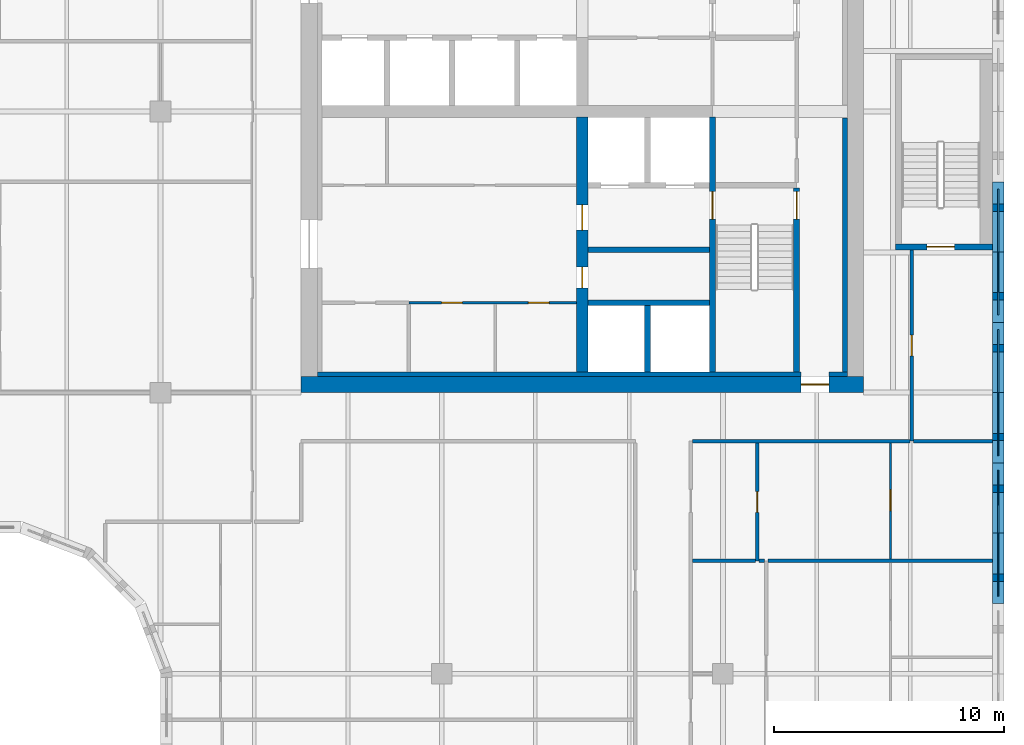
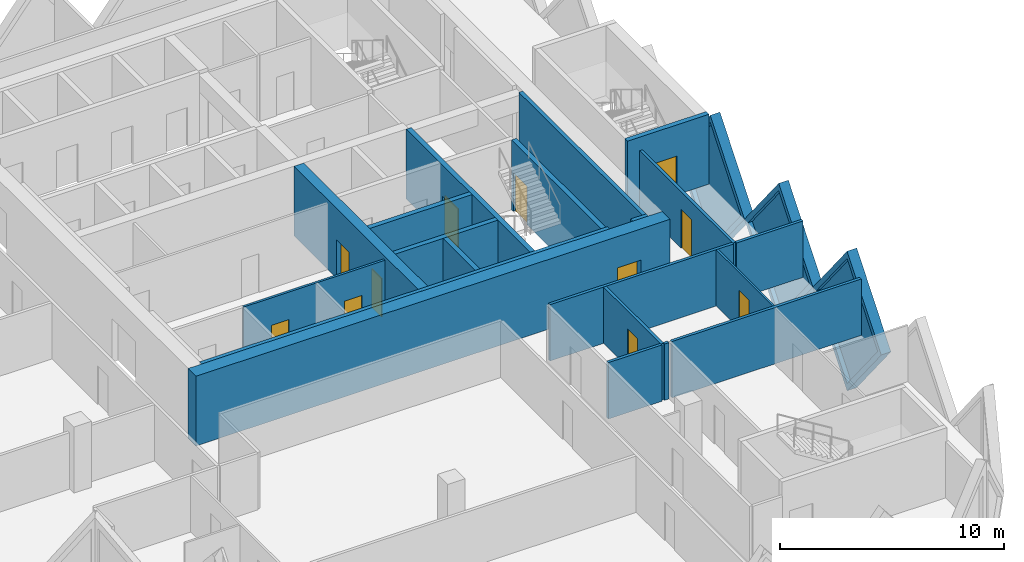
# One storey, part 6 of 12: 23 walls, 11 doors, 3 plates, 14 openings.
"""IFC4 building model written with IfcOpenShell, lengths in metres."""

from ifc_helpers import new_model, si_unit, direction, frame, frame_2d, origin, place, context, subcontext, project, spatial, polyline, rectangle, outline, extrude, faceted_brep, source, transform, mapped, material, layer, layer_set, type_object, element, fill, save


model = new_model("IFC4")

# Units and contexts
model_context = context("Model", 3, precision=1e-05, world=origin(), true_north=direction((0.0, 1.0)))
body_context = subcontext(model_context, "Body", "Model", "MODEL_VIEW")
ifc_project = project(units=[si_unit("LENGTHUNIT", "METRE"), si_unit("AREAUNIT", "SQUARE_METRE"), si_unit("VOLUMEUNIT", "CUBIC_METRE"), si_unit("PLANEANGLEUNIT", "RADIAN"), si_unit("MASSUNIT", "GRAM", prefix="KILO")], contexts=[model_context])

# Site, building, storey
site_placement = place(None, origin())
site = spatial("IfcSite", under=ifc_project, at=site_placement, CompositionType="ELEMENT")
building_placement = place(site_placement, origin())
building = spatial("IfcBuilding", under=site, at=building_placement, Name="Tessera Gate Towers", CompositionType="ELEMENT")
storey_placement = place(building_placement, frame((0.0, 0.0, 139.199951171875)))
storey = spatial("IfcBuildingStorey", under=building, at=storey_placement, Name="L34", CompositionType="ELEMENT", Elevation=139.199951171875)

# Wall, opening, door
ifc_material_1 = material(Name="Concrete C40/50", Category="concrete")
ifc_layer_1 = layer(ifc_material_1, 0.25)
ifc_layer_set_1 = layer_set([ifc_layer_1], Name="CORE ENCLOSURE WALL 250")
wall_type_1 = type_object("IfcWallType", Name="CORE ENCLOSURE WALL 250", PredefinedType="SOLIDWALL", material=ifc_layer_set_1)
wall_1_placement = place(storey_placement, frame((48.35009765625, 36.35009765625, 0.0), z_axis=(0.0, 0.0, 1.0), x_axis=(0.0, -1.0, 0.0)))
wall_1 = element("IfcWall", 1, at=wall_1_placement, inside=storey, type_object=wall_type_1, Name="L34 shaft and stair enclosure wall", PredefinedType="SOLIDWALL", context=body_context, shape_type="SweptSolid", body=[
    extrude(rectangle(XDim=11.050048828125, YDim=0.25, at=frame_2d((5.52490234375, 0.0))), origin(), (0.0, 0.0, 1.0), 3.800048828125),
])
shared_shape_1 = source(origin(), body_context, "Body", "SweptSolid", [
    extrude(rectangle(XDim=1.199951171875, YDim=2.10009765625, at=frame_2d((0.60009765625, 1.050048828125))), frame((0.0, 0.135009765625, 0.0), z_axis=(0.0, -1.0, 0.0), x_axis=(1.0, 0.0, 0.0)), (0.0, 0.0, 1.0), 0.27001953125),
])
opening_1_placement = place(wall_1_placement, frame((3.22509765625, 0.0, 0.0)))
opening_1 = element("IfcOpeningElement", 2, at=opening_1_placement, cuts=wall_1, Name="Opening SD-ST1-1", PredefinedType="OPENING", context=body_context, shape_type="MappedRepresentation", body=[
    mapped(shared_shape_1, transform((0.0, 0.0, 0.0), scale=1.0)),
])
ifc_material_2 = material(Name="Hollow steel fire door", Category="steel")
door_type_1 = type_object("IfcDoorType", Name="CORE DOOR SD 1200x2100", OperationType="NOTDEFINED", PredefinedType="DOOR", material=ifc_material_2)
shared_shape_2 = source(origin(), body_context, "Body", "SweptSolid", [
    extrude(rectangle(XDim=1.199951171875, YDim=2.10009765625, at=frame_2d((0.60009765625, 1.050048828125))), frame((0.0, 0.02490234375, 0.0), z_axis=(0.0, -1.0, 0.0), x_axis=(1.0, 0.0, 0.0)), (0.0, 0.0, 1.0), 0.050048828125),
])
door_1_placement = place(opening_1_placement, origin())
door_1 = element("IfcDoor", 3, at=door_1_placement, inside=storey, type_object=door_type_1, Name="Stair door", OperationType="SINGLE_SWING_LEFT", OverallHeight=2.10009765625, OverallWidth=1.199951171875, PredefinedType="DOOR", context=body_context, shape_type="MappedRepresentation", body=[
    mapped(shared_shape_2, transform((0.0, 0.0, 0.0), scale=1.0)),
])
fill(opening_1, door_1)

wall_2_placement = place(storey_placement, frame((52.0, 25.300048828125, 0.0), z_axis=(0.0, 0.0, 1.0), x_axis=(0.0, 1.0, 0.0)))
wall_2 = element("IfcWall", 4, at=wall_2_placement, inside=storey, type_object=wall_type_1, Name="L34 shaft and stair enclosure wall", PredefinedType="SOLIDWALL", context=body_context, shape_type="SweptSolid", body=[
    extrude(rectangle(XDim=7.974853515625, YDim=0.25, at=frame_2d((3.9873046875, 0.0))), origin(), (0.0, 0.0, 1.0), 3.800048828125),
])
opening_2_placement = place(wall_2_placement, frame((6.625, 0.0, 0.0)))
opening_2 = element("IfcOpeningElement", 5, at=opening_2_placement, cuts=wall_2, Name="Opening SD-ST1-2", PredefinedType="OPENING", context=body_context, shape_type="MappedRepresentation", body=[
    mapped(shared_shape_1, transform((0.0, 0.0, 0.0), scale=1.0)),
])
door_2_placement = place(opening_2_placement, origin())
door_2 = element("IfcDoor", 6, at=door_2_placement, inside=storey, type_object=door_type_1, Name="Stair door", OperationType="SINGLE_SWING_RIGHT", OverallHeight=2.10009765625, OverallWidth=1.199951171875, PredefinedType="DOOR", context=body_context, shape_type="MappedRepresentation", body=[
    mapped(shared_shape_2, transform((0.0, 0.0, 0.0), scale=1.0)),
])
fill(opening_2, door_2)

# Walls
for number, where, z_axis, x_axis, name in (
    (7, (42.949951171875, 28.300048828125, 0.0), (0.0, 0.0, 1.0), (1.0, 0.0, 0.0), "L34 shaft and stair enclosure wall"),
    (8, (42.949951171875, 30.60009765625, 0.0), (0.0, 0.0, 1.0), (1.0, 0.0, 0.0), "L34 shaft and stair enclosure wall"),
):
    element("IfcWall", number, at=place(storey_placement, frame(where, z_axis=z_axis, x_axis=x_axis)), inside=storey, type_object=wall_type_1, Name=name, PredefinedType="SOLIDWALL", context=body_context, shape_type="SweptSolid", body=[
        extrude(rectangle(XDim=5.275146484375, YDim=0.25, at=frame_2d((2.6376953125, 0.0))), origin(), (0.0, 0.0, 1.0), 3.800048828125),
    ])
wall_3_placement = place(storey_placement, frame((45.52490234375, 25.300048828125, 0.0), z_axis=(0.0, 0.0, 1.0), x_axis=(0.0, 1.0, 0.0)))
element("IfcWall", 9, at=wall_3_placement, inside=storey, type_object=wall_type_1, Name="L34 shaft and stair enclosure wall", PredefinedType="SOLIDWALL", context=body_context, shape_type="SweptSolid", body=[
    extrude(rectangle(XDim=2.875, YDim=0.25, at=frame_2d((1.4375, 0.0))), origin(), (0.0, 0.0, 1.0), 3.800048828125),
])

# Wall, opening, door
wall_4_placement = place(storey_placement, frame((60.5, 30.72509765625, 0.0), z_axis=(0.0, 0.0, 1.0), x_axis=(-1.0, 0.0, 0.0)))
wall_4 = element("IfcWall", 10, at=wall_4_placement, inside=storey, type_object=wall_type_1, Name="L34 ST5 enclosure wall", PredefinedType="SOLIDWALL", context=body_context, shape_type="SweptSolid", body=[
    extrude(rectangle(XDim=4.199951171875, YDim=0.25, at=frame_2d((2.10009765625, 0.0))), origin(), (0.0, 0.0, 1.0), 3.800048828125),
])
opening_3_placement = place(wall_4_placement, frame((1.64990234375, 0.0, 0.0)))
opening_3 = element("IfcOpeningElement", 11, at=opening_3_placement, cuts=wall_4, Name="Opening SD-ST5-1", PredefinedType="OPENING", context=body_context, shape_type="MappedRepresentation", body=[
    mapped(shared_shape_1, transform((0.0, 0.0, 0.0), scale=1.0)),
])
door_3_placement = place(opening_3_placement, origin())
door_3 = element("IfcDoor", 12, at=door_3_placement, inside=storey, type_object=door_type_1, Name="Stair door", OperationType="SINGLE_SWING_RIGHT", OverallHeight=2.10009765625, OverallWidth=1.199951171875, PredefinedType="DOOR", context=body_context, shape_type="MappedRepresentation", body=[
    mapped(shared_shape_2, transform((0.0, 0.0, 0.0), scale=1.0)),
])
fill(opening_3, door_3)

# Wall, openings, doors
ifc_material_3 = material(Name="Gypsum board on steel studs", Category="steel")
ifc_layer_2 = layer(ifc_material_3, 0.1201171875)
ifc_layer_set_2 = layer_set([ifc_layer_2], Name="CORE PARTITION 120")
wall_type_2 = type_object("IfcWallType", Name="CORE PARTITION 120", PredefinedType="PARTITIONING", material=ifc_layer_set_2)
wall_5_placement = place(storey_placement, frame((42.449951171875, 28.300048828125, 0.0), z_axis=(0.0, 0.0, 1.0), x_axis=(-1.0, 0.0, 0.0)))
wall_5 = element("IfcWall", 13, at=wall_5_placement, inside=storey, type_object=wall_type_2, Name="L34 core partition", PredefinedType="PARTITIONING", context=body_context, shape_type="SweptSolid", body=[
    extrude(rectangle(XDim=7.27490234375, YDim=0.1201171875, at=frame_2d((3.637451171875, 0.0))), origin(), (0.0, 0.0, 1.0), 3.60009765625),
])
shared_shape_3 = source(origin(), body_context, "Body", "SweptSolid", [
    extrude(rectangle(XDim=0.89990234375, YDim=2.10009765625, at=frame_2d((0.449951171875, 1.050048828125))), frame((0.0, 0.070068359375, 0.0), z_axis=(0.0, -1.0, 0.0), x_axis=(1.0, 0.0, 0.0)), (0.0, 0.0, 1.0), 0.14013671875),
])
opening_4_placement = place(wall_5_placement, frame((4.949951171875, 0.0, 0.0)))
opening_4 = element("IfcOpeningElement", 14, at=opening_4_placement, cuts=wall_5, Name="Opening RD-T1-23-09", PredefinedType="OPENING", context=body_context, shape_type="MappedRepresentation", body=[
    mapped(shared_shape_3, transform((0.0, 0.0, 0.0), scale=1.0)),
])
opening_5_placement = place(wall_5_placement, frame((1.1875, 0.0, 0.0)))
opening_5 = element("IfcOpeningElement", 15, at=opening_5_placement, cuts=wall_5, Name="Opening RD-T1-23-10", PredefinedType="OPENING", context=body_context, shape_type="MappedRepresentation", body=[
    mapped(shared_shape_3, transform((0.0, 0.0, 0.0), scale=1.0)),
])
ifc_material_4 = material(Name="Hollow steel fire door", Category="steel")
door_type_2 = type_object("IfcDoorType", Name="CORE DOOR RD 900x2100", OperationType="NOTDEFINED", PredefinedType="DOOR", material=ifc_material_4)
shared_shape_4 = source(origin(), body_context, "Body", "SweptSolid", [
    extrude(rectangle(XDim=0.89990234375, YDim=2.10009765625, at=frame_2d((0.449951171875, 1.050048828125))), frame((0.0, 0.02490234375, 0.0), z_axis=(0.0, -1.0, 0.0), x_axis=(1.0, 0.0, 0.0)), (0.0, 0.0, 1.0), 0.050048828125),
])
door_4_placement = place(opening_4_placement, origin())
door_4 = element("IfcDoor", 16, at=door_4_placement, inside=storey, type_object=door_type_2, Name="Core room door", OperationType="SINGLE_SWING_RIGHT", OverallHeight=2.10009765625, OverallWidth=0.89990234375, PredefinedType="DOOR", context=body_context, shape_type="MappedRepresentation", body=[
    mapped(shared_shape_4, transform((0.0, 0.0, 0.0), scale=1.0)),
])
fill(opening_4, door_4)
door_5_placement = place(opening_5_placement, origin())
door_5 = element("IfcDoor", 17, at=door_5_placement, inside=storey, type_object=door_type_2, Name="Core room door", OperationType="SINGLE_SWING_LEFT", OverallHeight=2.10009765625, OverallWidth=0.89990234375, PredefinedType="DOOR", context=body_context, shape_type="MappedRepresentation", body=[
    mapped(shared_shape_4, transform((0.0, 0.0, 0.0), scale=1.0)),
])
fill(opening_5, door_5)

# Wall, opening, door
ifc_material_5 = material(Name="Concrete C60/75", Category="concrete")
ifc_layer_3 = layer(ifc_material_5, 0.699951171875)
ifc_layer_set_3 = layer_set([ifc_layer_3], Name="CORE SHEAR WALL 700 C60/75")
wall_type_3 = type_object("IfcWallType", Name="CORE SHEAR WALL 700 C60/75", PredefinedType="SHEAR", material=ifc_layer_set_3)
wall_6_placement = place(storey_placement, frame((54.89990234375, 24.75, 0.0), z_axis=(0.0, 0.0, 1.0), x_axis=(-1.0, 0.0, 0.0)))
wall_6 = element("IfcWall", 18, at=wall_6_placement, inside=storey, type_object=wall_type_3, Name="Core wall S L34", PredefinedType="SHEAR", context=body_context, shape_type="SweptSolid", body=[
    extrude(rectangle(XDim=24.39990234375, YDim=0.699951171875, at=frame_2d((12.199951171875, 0.0))), origin(), (0.0, 0.0, 1.0), 3.800048828125),
])
shared_shape_5 = source(origin(), body_context, "Body", "SweptSolid", [
    extrude(rectangle(XDim=1.199951171875, YDim=2.10009765625, at=frame_2d((0.60009765625, 1.050048828125))), frame((0.0, 0.35986328125, 0.0), z_axis=(0.0, -1.0, 0.0), x_axis=(1.0, 0.0, 0.0)), (0.0, 0.0, 1.0), 0.719970703125),
])
opening_6_placement = place(wall_6_placement, frame((1.5, 0.0, 0.0)))
opening_6 = element("IfcOpeningElement", 19, at=opening_6_placement, cuts=wall_6, Name="Opening ED-T1-23-01", PredefinedType="OPENING", context=body_context, shape_type="MappedRepresentation", body=[
    mapped(shared_shape_5, transform((0.0, 0.0, 0.0), scale=1.0)),
])
ifc_material_6 = material(Name="Hollow steel fire door", Category="steel")
door_type_3 = type_object("IfcDoorType", Name="CORE DOOR ED 1200x2100", OperationType="NOTDEFINED", PredefinedType="DOOR", material=ifc_material_6)
door_6_placement = place(opening_6_placement, origin())
door_6 = element("IfcDoor", 20, at=door_6_placement, inside=storey, type_object=door_type_3, Name="Core exit door", OperationType="SINGLE_SWING_LEFT", OverallHeight=2.10009765625, OverallWidth=1.199951171875, PredefinedType="DOOR", context=body_context, shape_type="MappedRepresentation", body=[
    mapped(shared_shape_2, transform((0.0, 0.0, 0.0), scale=1.0)),
])
fill(opening_6, door_6)

# Wall, openings, doors
ifc_material_7 = material(Name="Concrete C60/75", Category="concrete")
ifc_layer_4 = layer(ifc_material_7, 0.5)
ifc_layer_set_4 = layer_set([ifc_layer_4], Name="CORE SPINE WALL 500 C60/75")
wall_type_4 = type_object("IfcWallType", Name="CORE SPINE WALL 500 C60/75", PredefinedType="SHEAR", material=ifc_layer_set_4)
wall_7_placement = place(storey_placement, frame((42.699951171875, 36.35009765625, 0.0), z_axis=(0.0, 0.0, 1.0), x_axis=(0.0, -1.0, 0.0)))
wall_7 = element("IfcWall", 21, at=wall_7_placement, inside=storey, type_object=wall_type_4, Name="Core wall spine L34", PredefinedType="SHEAR", context=body_context, shape_type="SweptSolid", body=[
    extrude(rectangle(XDim=11.050048828125, YDim=0.5, at=frame_2d((5.52490234375, 0.0))), origin(), (0.0, 0.0, 1.0), 3.800048828125),
])
shared_shape_6 = source(origin(), body_context, "Body", "SweptSolid", [
    extrude(rectangle(XDim=0.89990234375, YDim=2.10009765625, at=frame_2d((0.449951171875, 1.050048828125))), frame((0.0, 0.260009765625, 0.0), z_axis=(0.0, -1.0, 0.0), x_axis=(1.0, 0.0, 0.0)), (0.0, 0.0, 1.0), 0.52001953125),
])
opening_7_placement = place(wall_7_placement, frame((6.5, 0.0, 0.0)))
opening_7 = element("IfcOpeningElement", 22, at=opening_7_placement, cuts=wall_7, Name="Opening RD-T1-23-05", PredefinedType="OPENING", context=body_context, shape_type="MappedRepresentation", body=[
    mapped(shared_shape_6, transform((0.0, 0.0, 0.0), scale=1.0)),
])
shared_shape_7 = source(origin(), body_context, "Body", "SweptSolid", [
    extrude(rectangle(XDim=1.10009765625, YDim=2.10009765625, at=frame_2d((0.550048828125, 1.050048828125))), frame((0.0, 0.260009765625, 0.0), z_axis=(0.0, -1.0, 0.0), x_axis=(1.0, 0.0, 0.0)), (0.0, 0.0, 1.0), 0.52001953125),
])
opening_8_placement = place(wall_7_placement, frame((3.800048828125, 0.0, 0.0)))
opening_8 = element("IfcOpeningElement", 23, at=opening_8_placement, cuts=wall_7, Name="Opening FD-T1-23-06", PredefinedType="OPENING", context=body_context, shape_type="MappedRepresentation", body=[
    mapped(shared_shape_7, transform((0.0, 0.0, 0.0), scale=1.0)),
])
door_7_placement = place(opening_7_placement, origin())
door_7 = element("IfcDoor", 24, at=door_7_placement, inside=storey, type_object=door_type_2, Name="Core room door", OperationType="SINGLE_SWING_RIGHT", OverallHeight=2.10009765625, OverallWidth=0.89990234375, PredefinedType="DOOR", context=body_context, shape_type="MappedRepresentation", body=[
    mapped(shared_shape_4, transform((0.0, 0.0, 0.0), scale=1.0)),
])
fill(opening_7, door_7)
ifc_material_8 = material(Name="Hollow steel fire door", Category="steel")
door_type_4 = type_object("IfcDoorType", Name="CORE DOOR FD 1100x2100", OperationType="NOTDEFINED", PredefinedType="DOOR", material=ifc_material_8)
shared_shape_8 = source(origin(), body_context, "Body", "SweptSolid", [
    extrude(rectangle(XDim=1.10009765625, YDim=2.10009765625, at=frame_2d((0.550048828125, 1.050048828125))), frame((0.0, 0.02490234375, 0.0), z_axis=(0.0, -1.0, 0.0), x_axis=(1.0, 0.0, 0.0)), (0.0, 0.0, 1.0), 0.050048828125),
])
door_8_placement = place(opening_8_placement, origin())
door_8 = element("IfcDoor", 25, at=door_8_placement, inside=storey, type_object=door_type_4, Name="Fire-fighting lobby door", OperationType="SINGLE_SWING_LEFT", OverallHeight=2.10009765625, OverallWidth=1.10009765625, PredefinedType="DOOR", context=body_context, shape_type="MappedRepresentation", body=[
    mapped(shared_shape_8, transform((0.0, 0.0, 0.0), scale=1.0)),
])
fill(opening_8, door_8)

# Walls
ifc_material_9 = material(Name="Concrete C60/75", Category="concrete")
ifc_layer_5 = layer(ifc_material_9, 0.199951171875)
ifc_layer_set_5 = layer_set([ifc_layer_5], Name="CORE WALL THICKENING 200")
wall_type_5 = type_object("IfcWallType", Name="CORE WALL THICKENING 200", PredefinedType="SOLIDWALL", material=ifc_layer_set_5)
wall_8_placement = place(storey_placement, frame((31.199951171875, 25.199951171875, 0.0), z_axis=(0.0, 0.0, 1.0), x_axis=(1.0, 0.0, 0.0)))
element("IfcWall", 26, at=wall_8_placement, inside=storey, type_object=wall_type_5, Name="Core wall thickening S L34", PredefinedType="SOLIDWALL", context=body_context, shape_type="SweptSolid", body=[
    extrude(rectangle(XDim=21.0, YDim=0.199951171875, at=frame_2d((10.5, 0.0))), origin(), (0.0, 0.0, 1.0), 3.800048828125),
])
wall_9_placement = place(storey_placement, frame((53.39990234375, 25.199951171875, 0.0), z_axis=(0.0, 0.0, 1.0), x_axis=(1.0, 0.0, 0.0)))
element("IfcWall", 27, at=wall_9_placement, inside=storey, type_object=wall_type_5, Name="Core wall thickening S L34", PredefinedType="SOLIDWALL", context=body_context, shape_type="SweptSolid", body=[
    extrude(rectangle(XDim=0.800048828125, YDim=0.199951171875, at=frame_2d((0.39990234375, 0.0))), origin(), (0.0, 0.0, 1.0), 3.800048828125),
])
wall_10_placement = place(storey_placement, frame((54.10009765625, 25.300048828125, 0.0), z_axis=(0.0, 0.0, 1.0), x_axis=(0.0, 1.0, 0.0)))
element("IfcWall", 28, at=wall_10_placement, inside=storey, type_object=wall_type_5, Name="Core wall thickening E L34", PredefinedType="SOLIDWALL", context=body_context, shape_type="SweptSolid", body=[
    extrude(rectangle(XDim=11.02001953125, YDim=0.199951171875, at=frame_2d((5.510009765625, 0.0))), origin(), (0.0, 0.0, 1.0), 3.800048828125),
])
ifc_material_10 = material(Name="Gypsum board on steel studs, mineral wool", Category="steel")
ifc_layer_6 = layer(ifc_material_10, 0.14990234375)
ifc_layer_set_6 = layer_set([ifc_layer_6], Name="CORRIDOR WALL 150")
wall_type_6 = type_object("IfcWallType", Name="CORRIDOR WALL 150", PredefinedType="PARTITIONING", material=ifc_layer_set_6)
wall_11_placement = place(storey_placement, frame((47.47607421875, 22.300048828125, 0.0), z_axis=(0.0, 0.0, 1.0), x_axis=(1.0, 0.0, 0.0)))
element("IfcWall", 29, at=wall_11_placement, inside=storey, type_object=wall_type_6, Name="T1-L34-PW-027", PredefinedType="PARTITIONING", context=body_context, shape_type="SweptSolid", body=[
    extrude(rectangle(XDim=9.447998046875, YDim=0.14990234375, at=frame_2d((4.72412109375, 0.0))), origin(), (0.0, 0.0, 1.0), 3.067138671875),
])

# Wall, opening, door
wall_12_placement = place(storey_placement, frame((57.0, 30.60009765625, 0.0), z_axis=(0.0, 0.0, 1.0), x_axis=(0.0, -1.0, 0.0)))
wall_12 = element("IfcWall", 30, at=wall_12_placement, inside=storey, type_object=wall_type_6, Name="T1-L34-PW-028", PredefinedType="PARTITIONING", context=body_context, shape_type="SweptSolid", body=[
    extrude(rectangle(XDim=8.300048828125, YDim=0.14990234375, at=frame_2d((4.14990234375, 0.0))), origin(), (0.0, 0.0, 1.0), 3.067138671875),
])
shared_shape_9 = source(origin(), body_context, "Body", "SweptSolid", [
    extrude(rectangle(XDim=0.89990234375, YDim=2.10009765625, at=frame_2d((0.449951171875, 1.050048828125))), frame((0.0, 0.0849609375, 0.0), z_axis=(0.0, -1.0, 0.0), x_axis=(1.0, 0.0, 0.0)), (0.0, 0.0, 1.0), 0.169921875),
])
opening_9_placement = place(wall_12_placement, frame((3.699951171875, 0.0, 0.0)))
opening_9 = element("IfcOpeningElement", 31, at=opening_9_placement, cuts=wall_12, Name="Opening D890FD60-A12-06", PredefinedType="OPENING", context=body_context, shape_type="MappedRepresentation", body=[
    mapped(shared_shape_9, transform((0.0, 0.0, 0.0), scale=1.0)),
])
ifc_material_11 = material(Name="Timber door leaf in steel frame", Category="steel")
door_type_5 = type_object("IfcDoorType", Name="CORRIDOR DOOR 900 FD60", OperationType="NOTDEFINED", PredefinedType="DOOR", material=ifc_material_11)
door_9_placement = place(opening_9_placement, origin())
door_9 = element("IfcDoor", 32, at=door_9_placement, inside=storey, type_object=door_type_5, Name="T1-L34-PD-024", OperationType="SINGLE_SWING_RIGHT", OverallHeight=2.10009765625, OverallWidth=0.89990234375, PredefinedType="DOOR", context=body_context, shape_type="MappedRepresentation", body=[
    mapped(shared_shape_4, transform((0.0, 0.0, 0.0), scale=1.0)),
])
fill(opening_9, door_9)

ifc_material_12 = material(Name="Gypsum board on steel studs", Category="steel")
ifc_layer_7 = layer(ifc_material_12, 0.10009765625)
ifc_layer_set_7 = layer_set([ifc_layer_7], Name="PARTITION 100")
wall_type_7 = type_object("IfcWallType", Name="PARTITION 100", PredefinedType="PARTITIONING", material=ifc_layer_set_7)
wall_13_placement = place(storey_placement, frame((56.076904296875, 22.22412109375, 0.0), z_axis=(0.0, 0.0, 1.0), x_axis=(0.0, -1.0, 0.0)))
wall_13 = element("IfcWall", 33, at=wall_13_placement, inside=storey, type_object=wall_type_7, Name="T1-L34-PW-020", PredefinedType="PARTITIONING", context=body_context, shape_type="SweptSolid", body=[
    extrude(rectangle(XDim=5.048095703125, YDim=0.10009765625, at=frame_2d((2.52392578125, 0.0))), origin(), (0.0, 0.0, 1.0), 3.067138671875),
])
shared_shape_10 = source(origin(), body_context, "Body", "SweptSolid", [
    extrude(rectangle(XDim=0.89990234375, YDim=2.10009765625, at=frame_2d((0.449951171875, 1.050048828125))), frame((0.0, 0.06005859375, 0.0), z_axis=(0.0, -1.0, 0.0), x_axis=(1.0, 0.0, 0.0)), (0.0, 0.0, 1.0), 0.1201171875),
])
opening_10_placement = place(wall_13_placement, frame((2.048095703125, 0.0, 0.0)))
opening_10 = element("IfcOpeningElement", 34, at=opening_10_placement, cuts=wall_13, Name="Opening D190-A12-09", PredefinedType="OPENING", context=body_context, shape_type="MappedRepresentation", body=[
    mapped(shared_shape_10, transform((0.0, 0.0, 0.0), scale=1.0)),
])
ifc_material_13 = material(Name="Timber door leaf in steel frame", Category="steel")
door_type_6 = type_object("IfcDoorType", Name="INTERNAL DOOR 900 NOT RATED", OperationType="NOTDEFINED", PredefinedType="DOOR", material=ifc_material_13)
door_10_placement = place(opening_10_placement, origin())
door_10 = element("IfcDoor", 35, at=door_10_placement, inside=storey, type_object=door_type_6, Name="T1-L34-PD-012", OperationType="SINGLE_SWING_RIGHT", OverallHeight=2.10009765625, OverallWidth=0.89990234375, PredefinedType="DOOR", context=body_context, shape_type="MappedRepresentation", body=[
    mapped(shared_shape_4, transform((0.0, 0.0, 0.0), scale=1.0)),
])
fill(opening_10, door_10)

# Wall
ifc_material_14 = material(Name="Gypsum board on steel studs, mineral wool", Category="steel")
ifc_layer_8 = layer(ifc_material_14, 0.14990234375)
ifc_layer_set_8 = layer_set([ifc_layer_8], Name="TENANCY WALL 150")
wall_type_8 = type_object("IfcWallType", Name="TENANCY WALL 150", PredefinedType="PARTITIONING", material=ifc_layer_set_8)
wall_14_placement = place(storey_placement, frame((47.47607421875, 17.10009765625, 0.0), z_axis=(0.0, 0.0, 1.0), x_axis=(1.0, 0.0, 0.0)))
element("IfcWall", 36, at=wall_14_placement, inside=storey, type_object=wall_type_8, Name="T1-L34-PW-016", PredefinedType="PARTITIONING", context=body_context, shape_type="SweptSolid", body=[
    extrude(rectangle(XDim=2.748046875, YDim=0.14990234375, at=frame_2d((1.3740234375, 0.0))), origin(), (0.0, 0.0, 1.0), 3.067138671875),
])

# Wall, opening, door
wall_15_placement = place(storey_placement, frame((50.300048828125, 22.22412109375, 0.0), z_axis=(0.0, 0.0, 1.0), x_axis=(0.0, -1.0, 0.0)))
wall_15 = element("IfcWall", 37, at=wall_15_placement, inside=storey, type_object=wall_type_8, Name="T1-L34-PW-017", PredefinedType="PARTITIONING", context=body_context, shape_type="SweptSolid", body=[
    extrude(rectangle(XDim=5.1240234375, YDim=0.14990234375, at=frame_2d((2.56201171875, 0.0))), origin(), (0.0, 0.0, 1.0), 3.067138671875),
])
opening_11_placement = place(wall_15_placement, frame((2.1240234375, 0.0, 0.0)))
opening_11 = element("IfcOpeningElement", 38, at=opening_11_placement, cuts=wall_15, Name="Opening D190-A12-10", PredefinedType="OPENING", context=body_context, shape_type="MappedRepresentation", body=[
    mapped(shared_shape_9, transform((0.0, 0.0, 0.0), scale=1.0)),
])
door_11_placement = place(opening_11_placement, origin())
door_11 = element("IfcDoor", 39, at=door_11_placement, inside=storey, type_object=door_type_6, Name="T1-L34-PD-013", OperationType="SINGLE_SWING_RIGHT", OverallHeight=2.10009765625, OverallWidth=0.89990234375, PredefinedType="DOOR", context=body_context, shape_type="MappedRepresentation", body=[
    mapped(shared_shape_4, transform((0.0, 0.0, 0.0), scale=1.0)),
])
fill(opening_11, door_11)

# Walls
wall_16_placement = place(storey_placement, frame((50.3759765625, 17.10009765625, 0.0), z_axis=(0.0, 0.0, 1.0), x_axis=(1.0, 0.0, 0.0)))
element("IfcWall", 40, at=wall_16_placement, inside=storey, type_object=wall_type_8, Name="T1-L34-PW-018", PredefinedType="PARTITIONING", context=body_context, shape_type="SweptSolid", body=[
    extrude(rectangle(XDim=0.22314453125, YDim=0.14990234375, at=frame_2d((0.111572265625, 0.0))), origin(), (0.0, 0.0, 1.0), 3.067138671875),
])
wall_17_placement = place(storey_placement, frame((50.7509765625, 17.10009765625, 0.0), z_axis=(0.0, 0.0, 1.0), x_axis=(1.0, 0.0, 0.0)))
element("IfcWall", 41, at=wall_17_placement, inside=storey, type_object=wall_type_8, Name="T1-L34-PW-019", PredefinedType="PARTITIONING", context=body_context, shape_type="SweptSolid", body=[
    extrude(rectangle(XDim=9.7490234375, YDim=0.14990234375, at=frame_2d((4.87451171875, 0.0))), origin(), (0.0, 0.0, 1.0), 3.067138671875),
])
wall_18_placement = place(storey_placement, frame((57.075927734375, 22.300048828125, 0.0), z_axis=(0.0, 0.0, 1.0), x_axis=(1.0, 0.0, 0.0)))
element("IfcWall", 42, at=wall_18_placement, inside=storey, type_object=wall_type_8, Name="T1-L34-PW-029", PredefinedType="PARTITIONING", context=body_context, shape_type="SweptSolid", body=[
    extrude(rectangle(XDim=3.424072265625, YDim=0.14990234375, at=frame_2d((1.7119140625, 0.0))), origin(), (0.0, 0.0, 1.0), 3.067138671875),
])

# Wall, opening, plate
ifc_material_15 = material(Name="Precast concrete C60/75 white", Category="concrete")
ifc_layer_9 = layer(ifc_material_15, 0.5)
ifc_layer_set_9 = layer_set([ifc_layer_9], Name="TS1 tessera")
wall_type_9 = type_object("IfcWallType", Name="TS1 tessera", PredefinedType="SOLIDWALL", material=ifc_layer_set_9)
shared_shape_11 = source(origin(), body_context, "Body", "Brep", [
    faceted_brep([(3.050048828125, -0.25, 0.0), (6.099853515625, -0.25, 3.7998046875), (6.099853515625, -0.25, 3.80029296875), (3.050048828125, -0.25, 7.60009765625), (0.0, -0.25, 3.800048828125), (0.0, 0.25, 3.800048828125), (3.050048828125, 0.25, 7.60009765625), (6.099853515625, 0.25, 3.80029296875), (6.099853515625, 0.25, 3.7998046875), (3.050048828125, 0.25, 0.0)], [[[0, 1, 2, 3, 4]], [[5, 6, 7, 8, 9]], [[9, 8, 1, 0]], [[7, 6, 3, 2]], [[6, 5, 4, 3]], [[5, 9, 0, 4]], [[1, 8, 7, 2]]]),
])
wall_19_placement = place(storey_placement, frame((60.75, 21.35009765625, -3.800048828125), z_axis=(0.0, 0.0, 1.0), x_axis=(0.0, 1.0, 0.0)))
wall_19 = element("IfcWall", 43, at=wall_19_placement, inside=storey, type_object=wall_type_9, Name="Precast tessera T1 TS1-0581", PredefinedType="SOLIDWALL", context=body_context, shape_type="MappedRepresentation", body=[
    mapped(shared_shape_11, transform((0.0, 0.0, 0.0), scale=1.0)),
])
shared_shape_12 = source(origin(), body_context, "Body", "SweptSolid", [
    extrude(outline(polyline([(3.050048828125, 0.3994140625), (5.779541015625, 3.800048828125), (3.050048828125, 7.20068359375), (0.320556640625, 3.800048828125), (3.050048828125, 0.3994140625)])), frame((0.0, 0.260009765625, 0.0), z_axis=(0.0, -1.0, 0.0), x_axis=(1.0, 0.0, 0.0)), (0.0, 0.0, 1.0), 0.52001953125),
])
opening_12_placement = place(wall_19_placement, origin())
opening_12 = element("IfcOpeningElement", 44, at=opening_12_placement, cuts=wall_19, Name="Opening T1-PL2-1185", PredefinedType="OPENING", context=body_context, shape_type="MappedRepresentation", body=[
    mapped(shared_shape_12, transform((0.0, 0.0, 0.0), scale=1.0)),
])
ifc_material_16 = material(Name="Low-e laminated glass", Category="glass")
ifc_layer_10 = layer(ifc_material_16, 0.06005859375)
ifc_layer_set_10 = layer_set([ifc_layer_10], Name="PL2 rhombic pane")
plate_type = type_object("IfcPlateType", Name="PL2 rhombic pane", PredefinedType="SHEET", material=ifc_layer_set_10)
shared_shape_13 = source(origin(), body_context, "Body", "SweptSolid", [
    extrude(outline(polyline([(3.050048828125, 0.3994140625), (5.779541015625, 3.800048828125), (3.050048828125, 7.20068359375), (0.320556640625, 3.800048828125), (3.050048828125, 0.3994140625)])), frame((0.0, 0.030029296875, 0.0), z_axis=(0.0, -1.0, 0.0), x_axis=(1.0, 0.0, 0.0)), (0.0, 0.0, 1.0), 0.06005859375),
])
plate_1_placement = place(opening_12_placement, origin())
plate_1 = element("IfcPlate", 45, at=plate_1_placement, inside=storey, type_object=plate_type, Name="Glass pane T1 PL2-1185", PredefinedType="SHEET", context=body_context, shape_type="MappedRepresentation", body=[
    mapped(shared_shape_13, transform((0.0, 0.0, 0.0), scale=1.0)),
])
fill(opening_12, plate_1)

shared_shape_14 = source(origin(), body_context, "Body", "SweptSolid", [
    extrude(outline(polyline([(3.050048828125, 0.0), (6.10009765625, 3.800048828125), (3.050048828125, 7.60009765625), (0.0, 3.800048828125), (3.050048828125, 0.0)])), frame((0.0, 0.25, 0.0), z_axis=(0.0, -1.0, 0.0), x_axis=(1.0, 0.0, 0.0)), (0.0, 0.0, 1.0), 0.5),
])
wall_20_placement = place(storey_placement, frame((60.75, 15.25, -3.800048828125), z_axis=(0.0, 0.0, 1.0), x_axis=(0.0, 1.0, 0.0)))
wall_20 = element("IfcWall", 46, at=wall_20_placement, inside=storey, type_object=wall_type_9, Name="Precast tessera T1 TS1-0580", PredefinedType="SOLIDWALL", context=body_context, shape_type="MappedRepresentation", body=[
    mapped(shared_shape_14, transform((0.0, 0.0, 0.0), scale=1.0)),
])
opening_13_placement = place(wall_20_placement, origin())
opening_13 = element("IfcOpeningElement", 47, at=opening_13_placement, cuts=wall_20, Name="Opening T1-PL2-1184", PredefinedType="OPENING", context=body_context, shape_type="MappedRepresentation", body=[
    mapped(shared_shape_12, transform((0.0, 0.0, 0.0), scale=1.0)),
])
plate_2_placement = place(opening_13_placement, origin())
plate_2 = element("IfcPlate", 48, at=plate_2_placement, inside=storey, type_object=plate_type, Name="Glass pane T1 PL2-1184", PredefinedType="SHEET", context=body_context, shape_type="MappedRepresentation", body=[
    mapped(shared_shape_13, transform((0.0, 0.0, 0.0), scale=1.0)),
])
fill(opening_13, plate_2)

wall_21_placement = place(storey_placement, frame((60.75, 27.449951171875, -3.800048828125), z_axis=(0.0, 0.0, 1.0), x_axis=(0.0, 1.0, 0.0)))
wall_21 = element("IfcWall", 49, at=wall_21_placement, inside=storey, type_object=wall_type_9, Name="Precast tessera T1 TS1-0582", PredefinedType="SOLIDWALL", context=body_context, shape_type="MappedRepresentation", body=[
    mapped(shared_shape_14, transform((0.0, 0.0, 0.0), scale=1.0)),
])
opening_14_placement = place(wall_21_placement, origin())
opening_14 = element("IfcOpeningElement", 50, at=opening_14_placement, cuts=wall_21, Name="Opening T1-PL2-1186", PredefinedType="OPENING", context=body_context, shape_type="MappedRepresentation", body=[
    mapped(shared_shape_12, transform((0.0, 0.0, 0.0), scale=1.0)),
])
plate_3_placement = place(opening_14_placement, origin())
plate_3 = element("IfcPlate", 51, at=plate_3_placement, inside=storey, type_object=plate_type, Name="Glass pane T1 PL2-1186", PredefinedType="SHEET", context=body_context, shape_type="MappedRepresentation", body=[
    mapped(shared_shape_13, transform((0.0, 0.0, 0.0), scale=1.0)),
])
fill(opening_14, plate_3)

save(model, "model.ifc")
